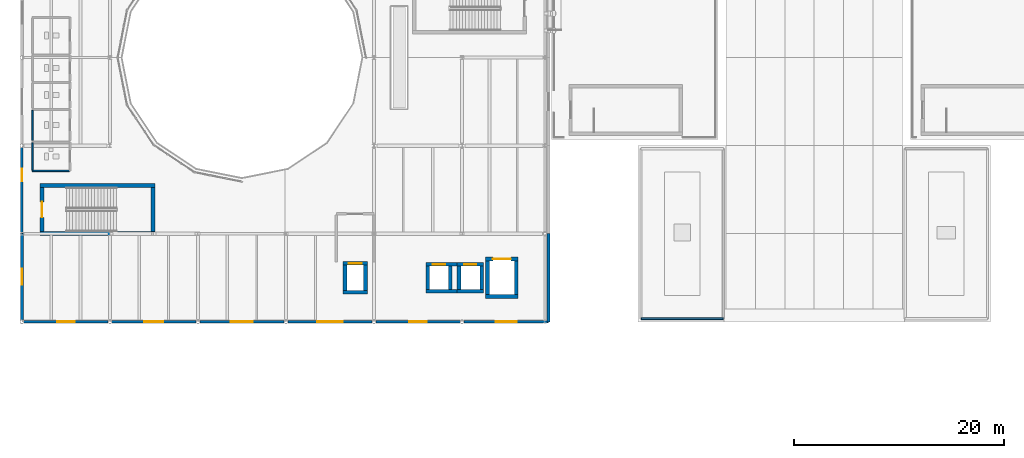
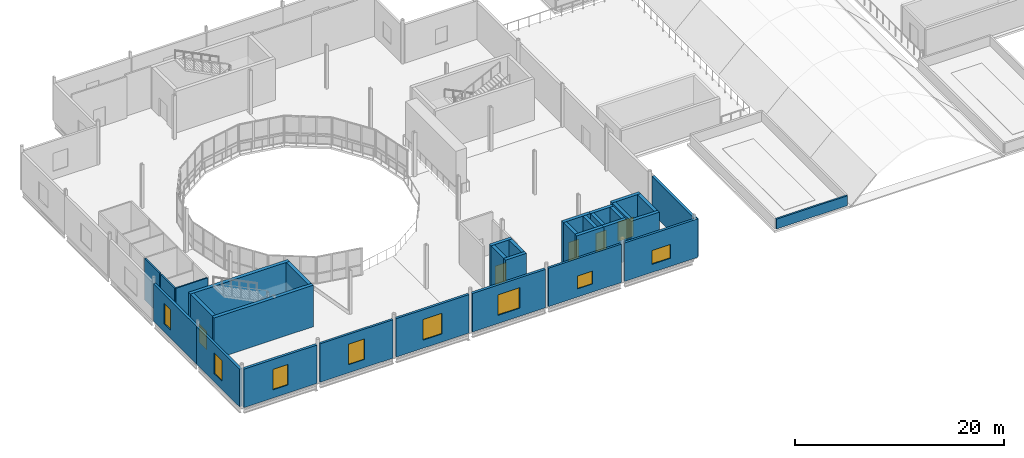
# One storey, part 65 of 91: 33 walls, 8 windows, 5 doors, 13 openings.
"""IFC4 building model written with IfcOpenShell, lengths in metres."""

from ifc_helpers import new_model, si_unit, direction, frame, frame_2d, origin, place, context, subcontext, project, spatial, rectangle, extrude, material, layer, layer_set, type_object, element, fill, save


model = new_model("IFC4")

# Units and contexts
model_context = context("Model", 3, precision=1e-05, world=origin(), true_north=direction((0.0, 1.0)))
body_context = subcontext(model_context, "Body", "Model", "MODEL_VIEW")
ifc_project = project(units=[si_unit("LENGTHUNIT", "METRE"), si_unit("AREAUNIT", "SQUARE_METRE"), si_unit("VOLUMEUNIT", "CUBIC_METRE"), si_unit("PLANEANGLEUNIT", "RADIAN"), si_unit("MASSUNIT", "GRAM", prefix="KILO"), si_unit("THERMODYNAMICTEMPERATUREUNIT", "KELVIN")], contexts=[model_context])

# Site, building, storey
site_placement = place(None, origin())
site = spatial("IfcSite", under=ifc_project, at=site_placement, CompositionType="ELEMENT")
building_placement = place(site_placement, origin())
building = spatial("IfcBuilding", under=site, at=building_placement, Name="Lustrewick Department Store", CompositionType="ELEMENT")
storey_placement = place(building_placement, frame((0.0, 0.0, 21.60009765625)))
storey = spatial("IfcBuildingStorey", under=building, at=storey_placement, Name="L05", CompositionType="ELEMENT", Elevation=21.60009765625)

# Wall, opening, window
ifc_material_1 = material(Name="Precast concrete C40", Category="concrete")
ifc_layer_1 = layer(ifc_material_1, 0.239990234375, Name="Precast concrete C40")
ifc_layer_set_1 = layer_set([ifc_layer_1], Name="Precast concrete C40")
wall_type_1 = type_object("IfcWallType", Name="EW01", PredefinedType="STANDARD", material=ifc_layer_set_1)
wall_1_placement = place(storey_placement, frame((16.972900390625, 42.0, 0.0), z_axis=(0.0, 0.0, 1.0), x_axis=(1.0, 0.0, 0.0)))
wall_1 = element("IfcWall", 1, at=wall_1_placement, inside=storey, type_object=wall_type_1, Name="L05 V1 Exterior Wall EW01", PredefinedType="STANDARD", context=body_context, shape_type="SweptSolid", body=[
    extrude(rectangle(XDim=8.05419921875, YDim=0.239990234375, at=frame_2d((4.027099609375, 0.0))), origin(), (0.0, 0.0, 1.0), 4.48681640625),
])
opening_1_placement = place(wall_1_placement, frame((3.126953125, 0.0, 0.949951171875)))
opening_1 = element("IfcOpeningElement", 2, at=opening_1_placement, cuts=wall_1, Name="Opening WN16", PredefinedType="OPENING", context=body_context, shape_type="SweptSolid", body=[
    extrude(rectangle(XDim=1.800048828125, YDim=2.39990234375, at=frame_2d((0.89990234375, 1.199951171875))), frame((0.0, 0.1298828125, 0.0), z_axis=(0.0, -1.0, 0.0), x_axis=(1.0, 0.0, 0.0)), (0.0, 0.0, 1.0), 0.260009765625),
])
ifc_material_2 = material(Name="Thermally broken Low-E triple-glazed window", Category="glass")
window_type_1 = type_object("IfcWindowType", Name="WN16", PartitioningType="DOUBLE_PANEL_VERTICAL", PredefinedType="WINDOW", material=ifc_material_2)
window_1_placement = place(opening_1_placement, origin())
window_1 = element("IfcWindow", 3, at=window_1_placement, inside=storey, type_object=window_type_1, Name="L05 Art Nouveau Window WN16", OverallHeight=2.39990234375, OverallWidth=1.800048828125, PartitioningType="SINGLE_PANEL", PredefinedType="WINDOW", context=body_context, shape_type="SweptSolid", body=[
    extrude(rectangle(XDim=1.800048828125, YDim=2.39990234375, at=frame_2d((0.89990234375, 1.199951171875))), frame((0.0, 0.030029296875, 0.0), z_axis=(0.0, -1.0, 0.0), x_axis=(1.0, 0.0, 0.0)), (0.0, 0.0, 1.0), 0.06005859375),
])
fill(opening_1, window_1)

wall_2_placement = place(storey_placement, frame((42.173095703125, 42.0, 0.0), z_axis=(0.0, 0.0, 1.0), x_axis=(1.0, 0.0, 0.0)))
wall_2 = element("IfcWall", 4, at=wall_2_placement, inside=storey, type_object=wall_type_1, Name="L05 V1 Exterior Wall EW01", PredefinedType="STANDARD", context=body_context, shape_type="SweptSolid", body=[
    extrude(rectangle(XDim=8.053955078125, YDim=0.239990234375, at=frame_2d((4.02685546875, 0.0))), origin(), (0.0, 0.0, 1.0), 4.48681640625),
])
opening_2_placement = place(wall_2_placement, frame((3.18701171875, 0.0, 0.949951171875)))
opening_2 = element("IfcOpeningElement", 5, at=opening_2_placement, cuts=wall_2, Name="Opening WN19", PredefinedType="OPENING", context=body_context, shape_type="SweptSolid", body=[
    extrude(rectangle(XDim=1.679931640625, YDim=1.5, at=frame_2d((0.83984375, 0.75))), frame((0.0, 0.1298828125, 0.0), z_axis=(0.0, -1.0, 0.0), x_axis=(1.0, 0.0, 0.0)), (0.0, 0.0, 1.0), 0.260009765625),
])
window_type_2 = type_object("IfcWindowType", Name="WN19", PartitioningType="DOUBLE_PANEL_VERTICAL", PredefinedType="WINDOW", material=ifc_material_2)
window_2_placement = place(opening_2_placement, origin())
window_2 = element("IfcWindow", 6, at=window_2_placement, inside=storey, type_object=window_type_2, Name="L05 Art Nouveau Window WN19", OverallHeight=1.5, OverallWidth=1.679931640625, PartitioningType="SINGLE_PANEL", PredefinedType="WINDOW", context=body_context, shape_type="SweptSolid", body=[
    extrude(rectangle(XDim=1.679931640625, YDim=1.5, at=frame_2d((0.83984375, 0.75))), frame((0.0, 0.030029296875, 0.0), z_axis=(0.0, -1.0, 0.0), x_axis=(1.0, 0.0, 0.0)), (0.0, 0.0, 1.0), 0.06005859375),
])
fill(opening_2, window_2)

ifc_layer_2 = layer(ifc_material_1, 0.260009765625, Name="Precast concrete C40")
ifc_layer_set_2 = layer_set([ifc_layer_2], Name="Precast concrete C40")
wall_type_2 = type_object("IfcWallType", Name="EW02", PredefinedType="STANDARD", material=ifc_layer_set_2)
wall_3_placement = place(storey_placement, frame((8.39990234375, 58.626953125, 0.0), z_axis=(0.0, 0.0, 1.0), x_axis=(0.0, -1.0, 0.0)))
wall_3 = element("IfcWall", 7, at=wall_3_placement, inside=storey, type_object=wall_type_2, Name="L05 V1 Exterior Wall EW02", PredefinedType="STANDARD", context=body_context, shape_type="SweptSolid", body=[
    extrude(rectangle(XDim=8.22705078125, YDim=0.260009765625, at=frame_2d((4.113525390625, 0.0))), origin(), (0.0, 0.0, 1.0), 4.39697265625),
])
opening_3_placement = place(wall_3_placement, frame((2.03271484375, 0.0, 0.949951171875)))
opening_3 = element("IfcOpeningElement", 8, at=opening_3_placement, cuts=wall_3, Name="Opening WN13", PredefinedType="OPENING", context=body_context, shape_type="SweptSolid", body=[
    extrude(rectangle(XDim=1.199951171875, YDim=2.39990234375, at=frame_2d((0.60009765625, 1.199951171875))), frame((0.0, 0.14013671875, 0.0), z_axis=(0.0, -1.0, 0.0), x_axis=(1.0, 0.0, 0.0)), (0.0, 0.0, 1.0), 0.280029296875),
])
window_type_3 = type_object("IfcWindowType", Name="WN13", PartitioningType="DOUBLE_PANEL_VERTICAL", PredefinedType="WINDOW", material=ifc_material_2)
window_3_placement = place(opening_3_placement, origin())
window_3 = element("IfcWindow", 9, at=window_3_placement, inside=storey, type_object=window_type_3, Name="L05 Art Nouveau Window WN13", OverallHeight=2.39990234375, OverallWidth=1.199951171875, PartitioningType="SINGLE_PANEL", PredefinedType="WINDOW", context=body_context, shape_type="SweptSolid", body=[
    extrude(rectangle(XDim=1.199951171875, YDim=2.39990234375, at=frame_2d((0.60009765625, 1.199951171875))), frame((0.0, 0.030029296875, 0.0), z_axis=(0.0, -1.0, 0.0), x_axis=(1.0, 0.0, 0.0)), (0.0, 0.0, 1.0), 0.06005859375),
])
fill(opening_3, window_3)

wall_4_placement = place(storey_placement, frame((25.373046875, 42.0, 0.0), z_axis=(0.0, 0.0, 1.0), x_axis=(1.0, 0.0, 0.0)))
wall_4 = element("IfcWall", 10, at=wall_4_placement, inside=storey, type_object=wall_type_2, Name="L05 V1 Exterior Wall EW02", PredefinedType="STANDARD", context=body_context, shape_type="SweptSolid", body=[
    extrude(rectangle(XDim=8.053955078125, YDim=0.260009765625, at=frame_2d((4.02685546875, 0.0))), origin(), (0.0, 0.0, 1.0), 4.48681640625),
])
opening_4_placement = place(wall_4_placement, frame((2.97705078125, 0.0, 0.949951171875)))
opening_4 = element("IfcOpeningElement", 11, at=opening_4_placement, cuts=wall_4, Name="Opening WN17", PredefinedType="OPENING", context=body_context, shape_type="SweptSolid", body=[
    extrude(rectangle(XDim=2.10009765625, YDim=2.39990234375, at=frame_2d((1.050048828125, 1.199951171875))), frame((0.0, 0.14013671875, 0.0), z_axis=(0.0, -1.0, 0.0), x_axis=(1.0, 0.0, 0.0)), (0.0, 0.0, 1.0), 0.280029296875),
])
window_type_4 = type_object("IfcWindowType", Name="WN17", PartitioningType="DOUBLE_PANEL_VERTICAL", PredefinedType="WINDOW", material=ifc_material_2)
window_4_placement = place(opening_4_placement, origin())
window_4 = element("IfcWindow", 12, at=window_4_placement, inside=storey, type_object=window_type_4, Name="L05 Art Nouveau Window WN17", OverallHeight=2.39990234375, OverallWidth=2.10009765625, PartitioningType="SINGLE_PANEL", PredefinedType="WINDOW", context=body_context, shape_type="SweptSolid", body=[
    extrude(rectangle(XDim=2.10009765625, YDim=2.39990234375, at=frame_2d((1.050048828125, 1.199951171875))), frame((0.0, 0.030029296875, 0.0), z_axis=(0.0, -1.0, 0.0), x_axis=(1.0, 0.0, 0.0)), (0.0, 0.0, 1.0), 0.06005859375),
])
fill(opening_4, window_4)

wall_5_placement = place(storey_placement, frame((50.572998046875, 42.0, 0.0), z_axis=(0.0, 0.0, 1.0), x_axis=(1.0, 0.0, 0.0)))
wall_5 = element("IfcWall", 13, at=wall_5_placement, inside=storey, type_object=wall_type_2, Name="L05 V1 Exterior Wall EW02", PredefinedType="STANDARD", context=body_context, shape_type="SweptSolid", body=[
    extrude(rectangle(XDim=8.076904296875, YDim=0.260009765625, at=frame_2d((4.03857421875, 0.0))), origin(), (0.0, 0.0, 1.0), 4.48681640625),
])
opening_5_placement = place(wall_5_placement, frame((3.03857421875, 0.0, 0.949951171875)))
opening_5 = element("IfcOpeningElement", 14, at=opening_5_placement, cuts=wall_5, Name="Opening WN20", PredefinedType="OPENING", context=body_context, shape_type="SweptSolid", body=[
    extrude(rectangle(XDim=2.0, YDim=1.60009765625, at=frame_2d((1.0, 0.800048828125))), frame((0.0, 0.14013671875, 0.0), z_axis=(0.0, -1.0, 0.0), x_axis=(1.0, 0.0, 0.0)), (0.0, 0.0, 1.0), 0.280029296875),
])
window_type_5 = type_object("IfcWindowType", Name="WN20", PartitioningType="DOUBLE_PANEL_VERTICAL", PredefinedType="WINDOW", material=ifc_material_2)
window_5_placement = place(opening_5_placement, origin())
window_5 = element("IfcWindow", 15, at=window_5_placement, inside=storey, type_object=window_type_5, Name="L05 Art Nouveau Window WN20", OverallHeight=1.60009765625, OverallWidth=2.0, PartitioningType="SINGLE_PANEL", PredefinedType="WINDOW", context=body_context, shape_type="SweptSolid", body=[
    extrude(rectangle(XDim=2.0, YDim=1.60009765625, at=frame_2d((1.0, 0.800048828125))), frame((0.0, 0.030029296875, 0.0), z_axis=(0.0, -1.0, 0.0), x_axis=(1.0, 0.0, 0.0)), (0.0, 0.0, 1.0), 0.06005859375),
])
fill(opening_5, window_5)

ifc_layer_3 = layer(ifc_material_1, 0.280029296875, Name="Precast concrete C40")
ifc_layer_set_3 = layer_set([ifc_layer_3], Name="Precast concrete C40")
wall_type_3 = type_object("IfcWallType", Name="EW03", PredefinedType="STANDARD", material=ifc_layer_set_3)
wall_6_placement = place(storey_placement, frame((8.39990234375, 50.39990234375, 0.0), z_axis=(0.0, 0.0, 1.0), x_axis=(0.0, -1.0, 0.0)))
wall_6 = element("IfcWall", 16, at=wall_6_placement, inside=storey, type_object=wall_type_3, Name="L05 V1 Exterior Wall EW03", PredefinedType="STANDARD", context=body_context, shape_type="SweptSolid", body=[
    extrude(rectangle(XDim=8.226806640625, YDim=0.280029296875, at=frame_2d((4.11328125, 0.0))), origin(), (0.0, 0.0, 1.0), 4.39697265625),
])
opening_6_placement = place(wall_6_placement, frame((3.363525390625, 0.0, 0.949951171875)))
opening_6 = element("IfcOpeningElement", 17, at=opening_6_placement, cuts=wall_6, Name="Opening WN14", PredefinedType="OPENING", context=body_context, shape_type="SweptSolid", body=[
    extrude(rectangle(XDim=1.5, YDim=2.39990234375, at=frame_2d((0.75, 1.199951171875))), frame((0.0, 0.14990234375, 0.0), z_axis=(0.0, -1.0, 0.0), x_axis=(1.0, 0.0, 0.0)), (0.0, 0.0, 1.0), 0.300048828125),
])
window_type_6 = type_object("IfcWindowType", Name="WN14", PartitioningType="DOUBLE_PANEL_VERTICAL", PredefinedType="WINDOW", material=ifc_material_2)
window_6_placement = place(opening_6_placement, origin())
window_6 = element("IfcWindow", 18, at=window_6_placement, inside=storey, type_object=window_type_6, Name="L05 Art Nouveau Window WN14", OverallHeight=2.39990234375, OverallWidth=1.5, PartitioningType="SINGLE_PANEL", PredefinedType="WINDOW", context=body_context, shape_type="SweptSolid", body=[
    extrude(rectangle(XDim=1.5, YDim=2.39990234375, at=frame_2d((0.75, 1.199951171875))), frame((0.0, 0.030029296875, 0.0), z_axis=(0.0, -1.0, 0.0), x_axis=(1.0, 0.0, 0.0)), (0.0, 0.0, 1.0), 0.06005859375),
])
fill(opening_6, window_6)

wall_7_placement = place(storey_placement, frame((8.572998046875, 42.0, 0.0), z_axis=(0.0, 0.0, 1.0), x_axis=(1.0, 0.0, 0.0)))
wall_7 = element("IfcWall", 19, at=wall_7_placement, inside=storey, type_object=wall_type_3, Name="L05 V1 Exterior Wall EW03", PredefinedType="STANDARD", context=body_context, shape_type="SweptSolid", body=[
    extrude(rectangle(XDim=8.053955078125, YDim=0.280029296875, at=frame_2d((4.02685546875, 0.0))), origin(), (0.0, 0.0, 1.0), 4.48681640625),
])
opening_7_placement = place(wall_7_placement, frame((3.18701171875, 0.0, 0.949951171875)))
opening_7 = element("IfcOpeningElement", 20, at=opening_7_placement, cuts=wall_7, Name="Opening WN15", PredefinedType="OPENING", context=body_context, shape_type="SweptSolid", body=[
    extrude(rectangle(XDim=1.679931640625, YDim=2.39990234375, at=frame_2d((0.83984375, 1.199951171875))), frame((0.0, 0.14990234375, 0.0), z_axis=(0.0, -1.0, 0.0), x_axis=(1.0, 0.0, 0.0)), (0.0, 0.0, 1.0), 0.300048828125),
])
window_type_7 = type_object("IfcWindowType", Name="WN15", PartitioningType="DOUBLE_PANEL_VERTICAL", PredefinedType="WINDOW", material=ifc_material_2)
window_7_placement = place(opening_7_placement, origin())
window_7 = element("IfcWindow", 21, at=window_7_placement, inside=storey, type_object=window_type_7, Name="L05 Art Nouveau Window WN15", OverallHeight=2.39990234375, OverallWidth=1.679931640625, PartitioningType="SINGLE_PANEL", PredefinedType="WINDOW", context=body_context, shape_type="SweptSolid", body=[
    extrude(rectangle(XDim=1.679931640625, YDim=2.39990234375, at=frame_2d((0.83984375, 1.199951171875))), frame((0.0, 0.030029296875, 0.0), z_axis=(0.0, -1.0, 0.0), x_axis=(1.0, 0.0, 0.0)), (0.0, 0.0, 1.0), 0.06005859375),
])
fill(opening_7, window_7)

wall_8_placement = place(storey_placement, frame((33.77294921875, 42.0, 0.0), z_axis=(0.0, 0.0, 1.0), x_axis=(1.0, 0.0, 0.0)))
wall_8 = element("IfcWall", 22, at=wall_8_placement, inside=storey, type_object=wall_type_3, Name="L05 V1 Exterior Wall EW03", PredefinedType="STANDARD", context=body_context, shape_type="SweptSolid", body=[
    extrude(rectangle(XDim=8.053955078125, YDim=0.280029296875, at=frame_2d((4.02685546875, 0.0))), origin(), (0.0, 0.0, 1.0), 4.48681640625),
])
opening_8_placement = place(wall_8_placement, frame((2.826904296875, 0.0, 0.949951171875)))
opening_8 = element("IfcOpeningElement", 23, at=opening_8_placement, cuts=wall_8, Name="Opening WN18", PredefinedType="OPENING", context=body_context, shape_type="SweptSolid", body=[
    extrude(rectangle(XDim=2.39990234375, YDim=2.39990234375, at=frame_2d((1.199951171875, 1.199951171875))), frame((0.0, 0.14990234375, 0.0), z_axis=(0.0, -1.0, 0.0), x_axis=(1.0, 0.0, 0.0)), (0.0, 0.0, 1.0), 0.300048828125),
])
window_type_8 = type_object("IfcWindowType", Name="WN18", PartitioningType="DOUBLE_PANEL_VERTICAL", PredefinedType="WINDOW", material=ifc_material_2)
window_8_placement = place(opening_8_placement, origin())
window_8 = element("IfcWindow", 24, at=window_8_placement, inside=storey, type_object=window_type_8, Name="L05 Art Nouveau Window WN18", OverallHeight=2.39990234375, OverallWidth=2.39990234375, PartitioningType="SINGLE_PANEL", PredefinedType="WINDOW", context=body_context, shape_type="SweptSolid", body=[
    extrude(rectangle(XDim=2.39990234375, YDim=2.39990234375, at=frame_2d((1.199951171875, 1.199951171875))), frame((0.0, 0.030029296875, 0.0), z_axis=(0.0, -1.0, 0.0), x_axis=(1.0, 0.0, 0.0)), (0.0, 0.0, 1.0), 0.06005859375),
])
fill(opening_8, window_8)

# Walls
ifc_layer_4 = layer(ifc_material_1, 0.300048828125, Name="Precast concrete C40")
ifc_layer_set_4 = layer_set([ifc_layer_4], Name="Precast concrete C40")
wall_type_4 = type_object("IfcWallType", Name="EW04", PredefinedType="STANDARD", material=ifc_layer_set_4)
wall_9_placement = place(storey_placement, frame((58.64990234375, 42.0, 0.0), z_axis=(0.0, 0.0, 1.0), x_axis=(0.0, 1.0, 0.0)))
element("IfcWall", 25, at=wall_9_placement, inside=storey, type_object=wall_type_4, Name="L05 V1 Exterior Wall EW04", PredefinedType="STANDARD", context=body_context, shape_type="SweptSolid", body=[
    extrude(rectangle(XDim=8.39990234375, YDim=0.300048828125, at=frame_2d((4.199951171875, 0.0))), origin(), (0.0, 0.0, 1.0), 4.330810546875),
])
ifc_layer_5 = layer(ifc_material_1, 0.18994140625, Name="Precast concrete C40")
ifc_layer_set_5 = layer_set([ifc_layer_5], Name="Precast concrete C40")
wall_type_5 = type_object("IfcWallType", Name="PA01", PredefinedType="PARAPET", material=ifc_layer_set_5)
wall_10_placement = place(storey_placement, frame((75.320068359375, 42.280029296875, 0.0), z_axis=(0.0, 0.0, 1.0), x_axis=(-1.0, 0.0, 0.0)))
element("IfcWall", 26, at=wall_10_placement, inside=storey, type_object=wall_type_5, Name="L05 Roof Parapet PA01", PredefinedType="PARAPET", context=body_context, shape_type="SweptSolid", body=[
    extrude(rectangle(XDim=7.840087890625, YDim=0.18994140625, at=frame_2d((3.919921875, 0.0))), origin(), (0.0, 0.0, 1.0), 1.14990234375),
])
ifc_material_3 = material(Name="Moisture-resistant cement board sanitary partition", Category="gypsum")
ifc_layer_6 = layer(ifc_material_3, 0.14990234375, Name="Moisture-resistant cement board sanitary partition")
ifc_layer_set_6 = layer_set([ifc_layer_6], Name="Moisture-resistant cement board sanitary partition")
wall_type_6 = type_object("IfcWallType", Name="PW05", PredefinedType="PARTITIONING", material=ifc_layer_set_6)
wall_11_placement = place(storey_placement, frame((9.39990234375, 56.39990234375, 0.0), z_axis=(0.0, 0.0, 1.0), x_axis=(1.0, 0.0, 0.0)))
element("IfcWall", 27, at=wall_11_placement, inside=storey, type_object=wall_type_6, Name="L05 Male Public WC PW05", PredefinedType="PARTITIONING", context=body_context, shape_type="SweptSolid", body=[
    extrude(rectangle(XDim=3.530029296875, YDim=0.14990234375, at=frame_2d((1.76513671875, 0.0))), origin(), (0.0, 0.0, 1.0), 4.844970703125),
])
wall_12_placement = place(storey_placement, frame((9.39990234375, 59.070068359375, 0.0), z_axis=(0.0, 0.0, 1.0), x_axis=(0.0, -1.0, 0.0)))
element("IfcWall", 28, at=wall_12_placement, inside=storey, type_object=wall_type_6, Name="L05 Male Public WC PW05", PredefinedType="PARTITIONING", context=body_context, shape_type="SweptSolid", body=[
    extrude(rectangle(XDim=2.60009765625, YDim=0.14990234375, at=frame_2d((1.300048828125, 0.0))), origin(), (0.0, 0.0, 1.0), 4.844970703125),
])
wall_13_placement = place(storey_placement, frame((9.39990234375, 62.169921875, 0.0), z_axis=(0.0, 0.0, 1.0), x_axis=(0.0, -1.0, 0.0)))
element("IfcWall", 29, at=wall_13_placement, inside=storey, type_object=wall_type_6, Name="L05 Female Public WC PW05", PredefinedType="PARTITIONING", context=body_context, shape_type="SweptSolid", body=[
    extrude(rectangle(XDim=2.869873046875, YDim=0.14990234375, at=frame_2d((1.43505859375, 0.0))), origin(), (0.0, 0.0, 1.0), 4.844970703125),
])
ifc_material_4 = material(Name="Concrete C40", Category="concrete")
ifc_layer_7 = layer(ifc_material_4, 0.3798828125, Name="Concrete C40")
ifc_layer_set_7 = layer_set([ifc_layer_7], Name="Concrete C40")
wall_type_7 = type_object("IfcWallType", Name="SW03", PredefinedType="SHEAR", material=ifc_layer_set_7)
wall_14_placement = place(storey_placement, frame((10.1201171875, 50.409912109375, 0.0), z_axis=(0.0, 0.0, 1.0), x_axis=(1.0, 0.0, 0.0)))
element("IfcWall", 30, at=wall_14_placement, inside=storey, type_object=wall_type_7, Name="L05 Stair Core ST01 Shear Wall S", PredefinedType="SHEAR", context=body_context, shape_type="SweptSolid", body=[
    extrude(rectangle(XDim=10.9599609375, YDim=0.3798828125, at=frame_2d((5.47998046875, 0.0))), origin(), (0.0, 0.0, 1.0), 4.844970703125),
])
wall_15_placement = place(storey_placement, frame((20.889892578125, 50.60009765625, 0.0), z_axis=(0.0, 0.0, 1.0), x_axis=(0.0, 1.0, 0.0)))
element("IfcWall", 31, at=wall_15_placement, inside=storey, type_object=wall_type_7, Name="L05 Stair Core ST01 Shear Wall E", PredefinedType="SHEAR", context=body_context, shape_type="SweptSolid", body=[
    extrude(rectangle(XDim=4.199951171875, YDim=0.3798828125, at=frame_2d((2.10009765625, 0.0))), origin(), (0.0, 0.0, 1.0), 4.844970703125),
])
wall_16_placement = place(storey_placement, frame((21.080078125, 54.989990234375, 0.0), z_axis=(0.0, 0.0, 1.0), x_axis=(-1.0, 0.0, 0.0)))
element("IfcWall", 32, at=wall_16_placement, inside=storey, type_object=wall_type_7, Name="L05 Stair Core ST01 Shear Wall N", PredefinedType="SHEAR", context=body_context, shape_type="SweptSolid", body=[
    extrude(rectangle(XDim=10.9599609375, YDim=0.3798828125, at=frame_2d((5.47998046875, 0.0))), origin(), (0.0, 0.0, 1.0), 4.844970703125),
])

# Wall, opening, door
wall_17_placement = place(storey_placement, frame((10.31005859375, 54.800048828125, 0.0), z_axis=(0.0, 0.0, 1.0), x_axis=(0.0, -1.0, 0.0)))
wall_17 = element("IfcWall", 33, at=wall_17_placement, inside=storey, type_object=wall_type_7, Name="L05 Stair Core ST01 Shear Wall W", PredefinedType="SHEAR", context=body_context, shape_type="SweptSolid", body=[
    extrude(rectangle(XDim=4.199951171875, YDim=0.3798828125, at=frame_2d((2.10009765625, 0.0))), origin(), (0.0, 0.0, 1.0), 4.844970703125),
])
opening_9_placement = place(wall_17_placement, frame((1.35009765625, 0.0, 0.0)))
opening_9 = element("IfcOpeningElement", 34, at=opening_9_placement, cuts=wall_17, Name="Opening D-L05-001", PredefinedType="OPENING", context=body_context, shape_type="SweptSolid", body=[
    extrude(rectangle(XDim=1.5, YDim=2.14990234375, at=frame_2d((0.75, 1.074951171875))), frame((0.0, 0.199951171875, 0.0), z_axis=(0.0, -1.0, 0.0), x_axis=(1.0, 0.0, 0.0)), (0.0, 0.0, 1.0), 0.39990234375),
])
ifc_material_5 = material(Name="Steel fire door Class B EI 60", Category="steel")
door_type_1 = type_object("IfcDoorType", Name="DT-07", OperationType="NOTDEFINED", PredefinedType="DOOR", material=ifc_material_5)
door_1_placement = place(opening_9_placement, origin())
door_1 = element("IfcDoor", 35, at=door_1_placement, inside=storey, type_object=door_type_1, Name="L05 Smoke-Proof Stair ST01 Fire Door", OperationType="SINGLE_SWING_LEFT", OverallHeight=2.14990234375, OverallWidth=1.5, PredefinedType="DOOR", context=body_context, shape_type="SweptSolid", body=[
    extrude(rectangle(XDim=1.5, YDim=2.14990234375, at=frame_2d((0.75, 1.074951171875))), frame((0.0, 0.02490234375, 0.0), z_axis=(0.0, -1.0, 0.0), x_axis=(1.0, 0.0, 0.0)), (0.0, 0.0, 1.0), 0.050048828125),
])
fill(opening_9, door_1)

# Walls
ifc_layer_8 = layer(ifc_material_4, 0.360107421875, Name="Concrete C40")
ifc_layer_set_8 = layer_set([ifc_layer_8], Name="Concrete C40")
wall_type_8 = type_object("IfcWallType", Name="SW04", PredefinedType="SHEAR", material=ifc_layer_set_8)
wall_18_placement = place(storey_placement, frame((39.0400390625, 44.820068359375, 0.0), z_axis=(0.0, 0.0, 1.0), x_axis=(1.0, 0.0, 0.0)))
element("IfcWall", 36, at=wall_18_placement, inside=storey, type_object=wall_type_8, Name="L05 Lift FFL-01 Shaft Wall -Y", PredefinedType="SHEAR", context=body_context, shape_type="SweptSolid", body=[
    extrude(rectangle(XDim=2.320068359375, YDim=0.360107421875, at=frame_2d((1.16015625, 0.0))), origin(), (0.0, 0.0, 1.0), 4.844970703125),
])
wall_19_placement = place(storey_placement, frame((41.179931640625, 45.0, 0.0), z_axis=(0.0, 0.0, 1.0), x_axis=(0.0, 1.0, 0.0)))
element("IfcWall", 37, at=wall_19_placement, inside=storey, type_object=wall_type_8, Name="L05 Lift FFL-01 Shaft Wall +X", PredefinedType="SHEAR", context=body_context, shape_type="SweptSolid", body=[
    extrude(rectangle(XDim=2.39990234375, YDim=0.360107421875, at=frame_2d((1.199951171875, 0.0))), origin(), (0.0, 0.0, 1.0), 4.844970703125),
])

# Wall, opening, door
wall_20_placement = place(storey_placement, frame((41.360107421875, 47.580078125, 0.0), z_axis=(0.0, 0.0, 1.0), x_axis=(-1.0, 0.0, 0.0)))
wall_20 = element("IfcWall", 38, at=wall_20_placement, inside=storey, type_object=wall_type_8, Name="L05 Lift FFL-01 Shaft Wall +Y", PredefinedType="SHEAR", context=body_context, shape_type="SweptSolid", body=[
    extrude(rectangle(XDim=2.320068359375, YDim=0.360107421875, at=frame_2d((1.16015625, 0.0))), origin(), (0.0, 0.0, 1.0), 4.844970703125),
])
opening_10_placement = place(wall_20_placement, frame((0.534912109375, 0.0, 0.0)))
opening_10 = element("IfcOpeningElement", 39, at=opening_10_placement, cuts=wall_20, Name="Opening LD-L05-01", PredefinedType="OPENING", context=body_context, shape_type="SweptSolid", body=[
    extrude(rectangle(XDim=1.25, YDim=2.199951171875, at=frame_2d((0.625, 1.10009765625))), frame((0.0, 0.18994140625, 0.0), z_axis=(0.0, -1.0, 0.0), x_axis=(1.0, 0.0, 0.0)), (0.0, 0.0, 1.0), 0.380126953125),
])
ifc_material_6 = material(Name="Stainless steel firefighting lift landing door EI 90", Category="steel")
door_type_2 = type_object("IfcDoorType", Name="DT-15", OperationType="NOTDEFINED", PredefinedType="DOOR", material=ifc_material_6)
door_2_placement = place(opening_10_placement, frame((1.25, 0.0, 0.0), z_axis=(0.0, 0.0, 1.0), x_axis=(-1.0, 0.0, 0.0)))
door_2 = element("IfcDoor", 40, at=door_2_placement, inside=storey, type_object=door_type_2, Name="L05 Lift FFL-01 Sliding Landing Door LD-L05-01", OperationType="DOUBLE_DOOR_SLIDING", OverallHeight=2.199951171875, OverallWidth=1.25, PredefinedType="DOOR", context=body_context, shape_type="SweptSolid", body=[
    extrude(rectangle(XDim=1.25, YDim=2.199951171875, at=frame_2d((0.625, 1.10009765625))), frame((0.0, 0.02490234375, 0.0), z_axis=(0.0, -1.0, 0.0), x_axis=(1.0, 0.0, 0.0)), (0.0, 0.0, 1.0), 0.050048828125),
])
fill(opening_10, door_2)

# Walls
wall_21_placement = place(storey_placement, frame((39.219970703125, 47.39990234375, 0.0), z_axis=(0.0, 0.0, 1.0), x_axis=(0.0, -1.0, 0.0)))
element("IfcWall", 41, at=wall_21_placement, inside=storey, type_object=wall_type_8, Name="L05 Lift FFL-01 Shaft Wall -X", PredefinedType="SHEAR", context=body_context, shape_type="SweptSolid", body=[
    extrude(rectangle(XDim=2.39990234375, YDim=0.360107421875, at=frame_2d((1.199951171875, 0.0))), origin(), (0.0, 0.0, 1.0), 4.844970703125),
])
wall_22_placement = place(storey_placement, frame((46.93994140625, 44.919921875, 0.0), z_axis=(0.0, 0.0, 1.0), x_axis=(1.0, 0.0, 0.0)))
element("IfcWall", 42, at=wall_22_placement, inside=storey, type_object=wall_type_8, Name="L05 Lift PL-01 Shaft Wall -Y", PredefinedType="SHEAR", context=body_context, shape_type="SweptSolid", body=[
    extrude(rectangle(XDim=3.0, YDim=0.360107421875, at=frame_2d((1.5, 0.0))), origin(), (0.0, 0.0, 1.0), 4.844970703125),
])
wall_23_placement = place(storey_placement, frame((49.280029296875, 45.10009765625, 0.0), z_axis=(0.0, 0.0, 1.0), x_axis=(0.0, 1.0, 0.0)))
element("IfcWall", 43, at=wall_23_placement, inside=storey, type_object=wall_type_8, Name="L05 Lift PL-01 Shaft Wall +X", PredefinedType="SHEAR", context=body_context, shape_type="SweptSolid", body=[
    extrude(rectangle(XDim=2.199951171875, YDim=0.360107421875, at=frame_2d((1.10009765625, 0.0))), origin(), (0.0, 0.0, 1.0), 4.844970703125),
])

# Wall, opening, door
wall_24_placement = place(storey_placement, frame((49.93994140625, 47.47998046875, 0.0), z_axis=(0.0, 0.0, 1.0), x_axis=(-1.0, 0.0, 0.0)))
wall_24 = element("IfcWall", 44, at=wall_24_placement, inside=storey, type_object=wall_type_8, Name="L05 Lift PL-01 Shaft Wall +Y", PredefinedType="SHEAR", context=body_context, shape_type="SweptSolid", body=[
    extrude(rectangle(XDim=3.0, YDim=0.360107421875, at=frame_2d((1.5, 0.0))), origin(), (0.0, 0.0, 1.0), 4.844970703125),
])
opening_11_placement = place(wall_24_placement, frame((1.1650390625, 0.0, 0.0)))
opening_11 = element("IfcOpeningElement", 45, at=opening_11_placement, cuts=wall_24, Name="Opening LD-L05-04", PredefinedType="OPENING", context=body_context, shape_type="SweptSolid", body=[
    extrude(rectangle(XDim=1.14990234375, YDim=2.199951171875, at=frame_2d((0.574951171875, 1.10009765625))), frame((0.0, 0.18994140625, 0.0), z_axis=(0.0, -1.0, 0.0), x_axis=(1.0, 0.0, 0.0)), (0.0, 0.0, 1.0), 0.380126953125),
])
ifc_material_7 = material(Name="Brushed bronze passenger lift landing door EI 60", Category="steel")
door_type_3 = type_object("IfcDoorType", Name="DT-16", OperationType="NOTDEFINED", PredefinedType="DOOR", material=ifc_material_7)
door_3_placement = place(opening_11_placement, frame((1.14990234375, 0.0, 0.0), z_axis=(0.0, 0.0, 1.0), x_axis=(-1.0, 0.0, 0.0)))
door_3 = element("IfcDoor", 46, at=door_3_placement, inside=storey, type_object=door_type_3, Name="L05 Lift PL-01 Sliding Landing Door LD-L05-04", OperationType="DOUBLE_DOOR_SLIDING", OverallHeight=2.199951171875, OverallWidth=1.14990234375, PredefinedType="DOOR", context=body_context, shape_type="SweptSolid", body=[
    extrude(rectangle(XDim=1.14990234375, YDim=2.199951171875, at=frame_2d((0.574951171875, 1.10009765625))), frame((0.0, 0.02490234375, 0.0), z_axis=(0.0, -1.0, 0.0), x_axis=(1.0, 0.0, 0.0)), (0.0, 0.0, 1.0), 0.050048828125),
])
fill(opening_11, door_3)

# Walls
wall_25_placement = place(storey_placement, frame((47.1201171875, 47.300048828125, 0.0), z_axis=(0.0, 0.0, 1.0), x_axis=(0.0, -1.0, 0.0)))
element("IfcWall", 47, at=wall_25_placement, inside=storey, type_object=wall_type_8, Name="L05 Lift PL-01 Shaft Wall -X", PredefinedType="SHEAR", context=body_context, shape_type="SweptSolid", body=[
    extrude(rectangle(XDim=2.199951171875, YDim=0.360107421875, at=frame_2d((1.10009765625, 0.0))), origin(), (0.0, 0.0, 1.0), 4.844970703125),
])
wall_26_placement = place(storey_placement, frame((49.93994140625, 44.919921875, 0.0), z_axis=(0.0, 0.0, 1.0), x_axis=(1.0, 0.0, 0.0)))
element("IfcWall", 48, at=wall_26_placement, inside=storey, type_object=wall_type_8, Name="L05 Lift PL-02 Shaft Wall -Y", PredefinedType="SHEAR", context=body_context, shape_type="SweptSolid", body=[
    extrude(rectangle(XDim=2.52001953125, YDim=0.360107421875, at=frame_2d((1.260009765625, 0.0))), origin(), (0.0, 0.0, 1.0), 4.844970703125),
])
wall_27_placement = place(storey_placement, frame((52.280029296875, 45.10009765625, 0.0), z_axis=(0.0, 0.0, 1.0), x_axis=(0.0, 1.0, 0.0)))
element("IfcWall", 49, at=wall_27_placement, inside=storey, type_object=wall_type_8, Name="L05 Lift PL-02 Shaft Wall +X", PredefinedType="SHEAR", context=body_context, shape_type="SweptSolid", body=[
    extrude(rectangle(XDim=2.199951171875, YDim=0.360107421875, at=frame_2d((1.10009765625, 0.0))), origin(), (0.0, 0.0, 1.0), 4.844970703125),
])

# Wall, opening, door
wall_28_placement = place(storey_placement, frame((52.4599609375, 47.47998046875, 0.0), z_axis=(0.0, 0.0, 1.0), x_axis=(-1.0, 0.0, 0.0)))
wall_28 = element("IfcWall", 50, at=wall_28_placement, inside=storey, type_object=wall_type_8, Name="L05 Lift PL-02 Shaft Wall +Y", PredefinedType="SHEAR", context=body_context, shape_type="SweptSolid", body=[
    extrude(rectangle(XDim=2.52001953125, YDim=0.360107421875, at=frame_2d((1.260009765625, 0.0))), origin(), (0.0, 0.0, 1.0), 4.844970703125),
])
opening_12_placement = place(wall_28_placement, frame((0.68505859375, 0.0, 0.0)))
opening_12 = element("IfcOpeningElement", 51, at=opening_12_placement, cuts=wall_28, Name="Opening LD-L05-05", PredefinedType="OPENING", context=body_context, shape_type="SweptSolid", body=[
    extrude(rectangle(XDim=1.14990234375, YDim=2.199951171875, at=frame_2d((0.574951171875, 1.10009765625))), frame((0.0, 0.18994140625, 0.0), z_axis=(0.0, -1.0, 0.0), x_axis=(1.0, 0.0, 0.0)), (0.0, 0.0, 1.0), 0.380126953125),
])
door_4_placement = place(opening_12_placement, frame((1.14990234375, 0.0, 0.0), z_axis=(0.0, 0.0, 1.0), x_axis=(-1.0, 0.0, 0.0)))
door_4 = element("IfcDoor", 52, at=door_4_placement, inside=storey, type_object=door_type_3, Name="L05 Lift PL-02 Sliding Landing Door LD-L05-05", OperationType="DOUBLE_DOOR_SLIDING", OverallHeight=2.199951171875, OverallWidth=1.14990234375, PredefinedType="DOOR", context=body_context, shape_type="SweptSolid", body=[
    extrude(rectangle(XDim=1.14990234375, YDim=2.199951171875, at=frame_2d((0.574951171875, 1.10009765625))), frame((0.0, 0.02490234375, 0.0), z_axis=(0.0, -1.0, 0.0), x_axis=(1.0, 0.0, 0.0)), (0.0, 0.0, 1.0), 0.050048828125),
])
fill(opening_12, door_4)

# Walls
wall_29_placement = place(storey_placement, frame((50.1201171875, 47.300048828125, 0.0), z_axis=(0.0, 0.0, 1.0), x_axis=(0.0, -1.0, 0.0)))
element("IfcWall", 53, at=wall_29_placement, inside=storey, type_object=wall_type_8, Name="L05 Lift PL-02 Shaft Wall -X", PredefinedType="SHEAR", context=body_context, shape_type="SweptSolid", body=[
    extrude(rectangle(XDim=2.199951171875, YDim=0.360107421875, at=frame_2d((1.10009765625, 0.0))), origin(), (0.0, 0.0, 1.0), 4.844970703125),
])
wall_30_placement = place(storey_placement, frame((52.639892578125, 44.419921875, 0.0), z_axis=(0.0, 0.0, 1.0), x_axis=(1.0, 0.0, 0.0)))
element("IfcWall", 54, at=wall_30_placement, inside=storey, type_object=wall_type_8, Name="L05 Lift GL-01 Shaft Wall -Y", PredefinedType="SHEAR", context=body_context, shape_type="SweptSolid", body=[
    extrude(rectangle(XDim=3.1201171875, YDim=0.360107421875, at=frame_2d((1.56005859375, 0.0))), origin(), (0.0, 0.0, 1.0), 4.844970703125),
])
wall_31_placement = place(storey_placement, frame((55.580078125, 44.60009765625, 0.0), z_axis=(0.0, 0.0, 1.0), x_axis=(0.0, 1.0, 0.0)))
element("IfcWall", 55, at=wall_31_placement, inside=storey, type_object=wall_type_8, Name="L05 Lift GL-01 Shaft Wall +X", PredefinedType="SHEAR", context=body_context, shape_type="SweptSolid", body=[
    extrude(rectangle(XDim=3.199951171875, YDim=0.360107421875, at=frame_2d((1.60009765625, 0.0))), origin(), (0.0, 0.0, 1.0), 4.844970703125),
])

# Wall, opening, door
wall_32_placement = place(storey_placement, frame((55.760009765625, 47.97998046875, 0.0), z_axis=(0.0, 0.0, 1.0), x_axis=(-1.0, 0.0, 0.0)))
wall_32 = element("IfcWall", 56, at=wall_32_placement, inside=storey, type_object=wall_type_8, Name="L05 Lift GL-01 Shaft Wall +Y", PredefinedType="SHEAR", context=body_context, shape_type="SweptSolid", body=[
    extrude(rectangle(XDim=3.1201171875, YDim=0.360107421875, at=frame_2d((1.56005859375, 0.0))), origin(), (0.0, 0.0, 1.0), 4.844970703125),
])
opening_13_placement = place(wall_32_placement, frame((0.7099609375, 0.0, 0.0)))
opening_13 = element("IfcOpeningElement", 57, at=opening_13_placement, cuts=wall_32, Name="Opening LD-L05-10", PredefinedType="OPENING", context=body_context, shape_type="SweptSolid", body=[
    extrude(rectangle(XDim=1.699951171875, YDim=2.300048828125, at=frame_2d((0.85009765625, 1.14990234375))), frame((0.0, 0.18994140625, 0.0), z_axis=(0.0, -1.0, 0.0), x_axis=(1.0, 0.0, 0.0)), (0.0, 0.0, 1.0), 0.380126953125),
])
ifc_material_8 = material(Name="Heavy-duty stainless goods lift landing door EI 90", Category="steel")
door_type_4 = type_object("IfcDoorType", Name="DT-17", OperationType="NOTDEFINED", PredefinedType="DOOR", material=ifc_material_8)
door_5_placement = place(opening_13_placement, frame((1.699951171875, 0.0, 0.0), z_axis=(0.0, 0.0, 1.0), x_axis=(-1.0, 0.0, 0.0)))
door_5 = element("IfcDoor", 58, at=door_5_placement, inside=storey, type_object=door_type_4, Name="L05 Lift GL-01 Sliding Landing Door LD-L05-10", OperationType="DOUBLE_DOOR_SLIDING", OverallHeight=2.300048828125, OverallWidth=1.699951171875, PredefinedType="DOOR", context=body_context, shape_type="SweptSolid", body=[
    extrude(rectangle(XDim=1.699951171875, YDim=2.300048828125, at=frame_2d((0.85009765625, 1.14990234375))), frame((0.0, 0.02490234375, 0.0), z_axis=(0.0, -1.0, 0.0), x_axis=(1.0, 0.0, 0.0)), (0.0, 0.0, 1.0), 0.050048828125),
])
fill(opening_13, door_5)

# Wall
wall_33_placement = place(storey_placement, frame((52.820068359375, 47.800048828125, 0.0), z_axis=(0.0, 0.0, 1.0), x_axis=(0.0, -1.0, 0.0)))
element("IfcWall", 59, at=wall_33_placement, inside=storey, type_object=wall_type_8, Name="L05 Lift GL-01 Shaft Wall -X", PredefinedType="SHEAR", context=body_context, shape_type="SweptSolid", body=[
    extrude(rectangle(XDim=3.199951171875, YDim=0.360107421875, at=frame_2d((1.60009765625, 0.0))), origin(), (0.0, 0.0, 1.0), 4.844970703125),
])

save(model, "model.ifc")
